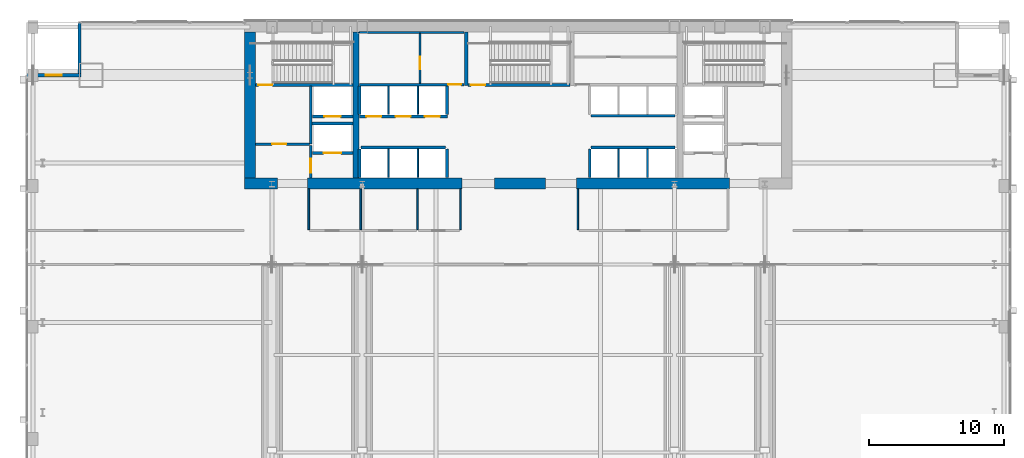
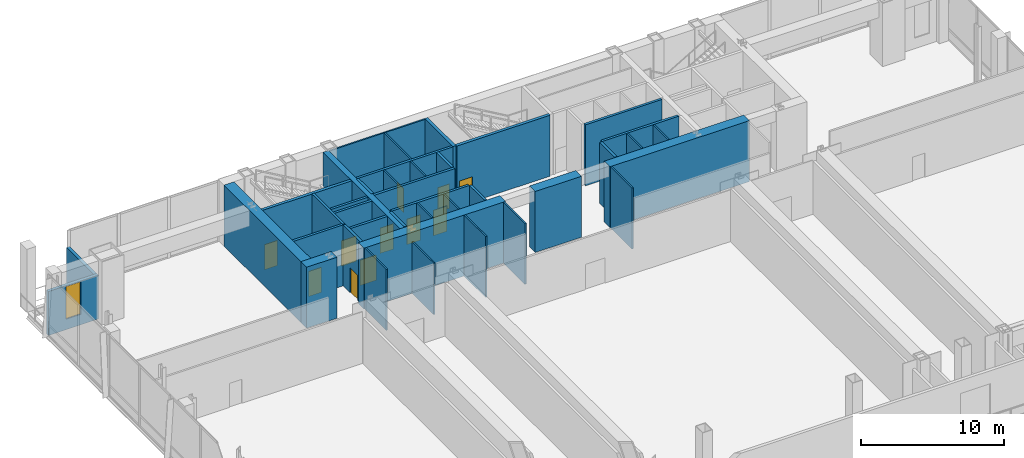
# One storey, part 21 of 26: 40 walls, 11 doors, 1 window, 12 openings.
"""IFC4 building model written with IfcOpenShell, lengths in metres."""

from ifc_helpers import new_model, si_unit, direction, frame, frame_2d, origin, place, context, subcontext, project, spatial, rectangle, extrude, material, layer, layer_set, type_object, element, fill, save


model = new_model("IFC4")

# Units and contexts
model_context = context("Model", 3, precision=1e-05, world=origin(), true_north=direction((0.0, 1.0)))
body_context = subcontext(model_context, "Body", "Model", "MODEL_VIEW")
ifc_project = project(units=[si_unit("LENGTHUNIT", "METRE"), si_unit("AREAUNIT", "SQUARE_METRE"), si_unit("VOLUMEUNIT", "CUBIC_METRE"), si_unit("PLANEANGLEUNIT", "RADIAN"), si_unit("MASSUNIT", "GRAM", prefix="KILO")], contexts=[model_context])

# Site, building, storey
site_placement = place(None, origin())
site = spatial("IfcSite", under=ifc_project, at=site_placement, CompositionType="ELEMENT")
building_placement = place(site_placement, origin())
building = spatial("IfcBuilding", under=site, at=building_placement, Name="Khoronbel Lancet Exchange", CompositionType="ELEMENT")
storey_placement = place(building_placement, frame((0.0, 0.0, 20.39990234375)))
storey = spatial("IfcBuildingStorey", under=building, at=storey_placement, Name="L04", CompositionType="ELEMENT", Elevation=20.39990234375)

# Walls
ifc_material_1 = material(Name="Concrete C80/95", Category="concrete")
ifc_layer_1 = layer(ifc_material_1, 0.800048828125, Name="Concrete C80/95")
ifc_layer_set_1 = layer_set([ifc_layer_1], Name="Concrete C80/95")
wall_type_1 = type_object("IfcWallType", Name="WL-CW1", PredefinedType="SHEAR", material=ifc_layer_set_1)
wall_1_placement = place(storey_placement, frame((16.60009765625, 42.10009765625, 0.0), z_axis=(0.0, 0.0, 1.0), x_axis=(0.0, 1.0, 0.0)))
element("IfcWall", 1, at=wall_1_placement, inside=storey, type_object=wall_type_1, Name="Level L04 rear core west shear wall", PredefinedType="SHEAR", context=body_context, shape_type="SweptSolid", body=[
    extrude(rectangle(XDim=10.7998046875, YDim=0.800048828125, at=frame_2d((5.39990234375, 0.0))), origin(), (0.0, 0.0, 1.0), 5.22021484375),
])
wall_2_placement = place(storey_placement, frame((18.64990234375, 41.699951171875, 0.0), z_axis=(0.0, 0.0, 1.0), x_axis=(-1.0, 0.0, 0.0)))
element("IfcWall", 2, at=wall_2_placement, inside=storey, type_object=wall_type_1, Name="Level L04 rear core south shear wall pier P1", PredefinedType="SHEAR", context=body_context, shape_type="SweptSolid", body=[
    extrude(rectangle(XDim=2.449951171875, YDim=0.800048828125, at=frame_2d((1.22509765625, 0.0))), origin(), (0.0, 0.0, 1.0), 5.22021484375),
])
wall_3_placement = place(storey_placement, frame((32.300048828125, 41.699951171875, 0.0), z_axis=(0.0, 0.0, 1.0), x_axis=(-1.0, 0.0, 0.0)))
element("IfcWall", 3, at=wall_3_placement, inside=storey, type_object=wall_type_1, Name="Level L04 rear core south shear wall pier P2", PredefinedType="SHEAR", context=body_context, shape_type="SweptSolid", body=[
    extrude(rectangle(XDim=11.449951171875, YDim=0.800048828125, at=frame_2d((5.72509765625, 0.0))), origin(), (0.0, 0.0, 1.0), 5.22021484375),
])
wall_4_placement = place(storey_placement, frame((38.449951171875, 41.699951171875, 0.0), z_axis=(0.0, 0.0, 1.0), x_axis=(-1.0, 0.0, 0.0)))
element("IfcWall", 4, at=wall_4_placement, inside=storey, type_object=wall_type_1, Name="Level L04 rear core south shear wall pier P3", PredefinedType="SHEAR", context=body_context, shape_type="SweptSolid", body=[
    extrude(rectangle(XDim=3.75, YDim=0.800048828125, at=frame_2d((1.875, 0.0))), origin(), (0.0, 0.0, 1.0), 5.22021484375),
])
wall_5_placement = place(storey_placement, frame((52.050048828125, 41.699951171875, 0.0), z_axis=(0.0, 0.0, 1.0), x_axis=(-1.0, 0.0, 0.0)))
element("IfcWall", 5, at=wall_5_placement, inside=storey, type_object=wall_type_1, Name="Level L04 rear core south shear wall pier P4", PredefinedType="SHEAR", context=body_context, shape_type="SweptSolid", body=[
    extrude(rectangle(XDim=11.300048828125, YDim=0.800048828125, at=frame_2d((5.64990234375, 0.0))), origin(), (0.0, 0.0, 1.0), 5.22021484375),
])

# Wall, opening, window
ifc_material_2 = material(Name="Precast concrete C40/50", Category="concrete")
ifc_layer_2 = layer(ifc_material_2, 0.25, Name="Precast concrete C40/50")
ifc_layer_set_2 = layer_set([ifc_layer_2], Name="Precast concrete C40/50")
wall_type_2 = type_object("IfcWallType", Name="WL-EXT250", PredefinedType="SOLIDWALL", material=ifc_layer_set_2)
wall_6_placement = place(storey_placement, frame((0.080078125, 49.699951171875, 0.0), z_axis=(0.0, 0.0, 1.0), x_axis=(1.0, 0.0, 0.0)))
wall_6 = element("IfcWall", 6, at=wall_6_placement, inside=storey, type_object=wall_type_2, Name="Level L04 corner notch exterior wall NWL4", PredefinedType="SOLIDWALL", context=body_context, shape_type="SweptSolid", body=[
    extrude(rectangle(XDim=4.044921875, YDim=0.25, at=frame_2d((2.0224609375, 0.0))), origin(), (0.0, 0.0, 1.0), 3.760009765625),
])
opening_1_placement = place(wall_6_placement, frame((1.422607421875, 0.0, 0.89990234375)))
opening_1 = element("IfcOpeningElement", 7, at=opening_1_placement, cuts=wall_6, Name="Opening W2", PredefinedType="OPENING", context=body_context, shape_type="SweptSolid", body=[
    extrude(rectangle(XDim=1.199951171875, YDim=2.800048828125, at=frame_2d((0.60009765625, 1.39990234375))), frame((0.0, 0.135009765625, 0.0), z_axis=(0.0, -1.0, 0.0), x_axis=(1.0, 0.0, 0.0)), (0.0, 0.0, 1.0), 0.27001953125),
])
ifc_material_3 = material(Name="Low-E Solar Control Insulating Glass", Category="glass")
window_type = type_object("IfcWindowType", Name="WIN-W2", PartitioningType="SINGLE_PANEL", PredefinedType="WINDOW", material=ifc_material_3)
window_placement = place(opening_1_placement, origin())
window = element("IfcWindow", 8, at=window_placement, inside=storey, type_object=window_type, Name="WIN-L04-NWL4", OverallHeight=2.800048828125, OverallWidth=1.199951171875, PartitioningType="SINGLE_PANEL", PredefinedType="WINDOW", context=body_context, shape_type="SweptSolid", body=[
    extrude(rectangle(XDim=1.199951171875, YDim=2.800048828125, at=frame_2d((0.60009765625, 1.39990234375))), frame((0.0, 0.030029296875, 0.0), z_axis=(0.0, -1.0, 0.0), x_axis=(1.0, 0.0, 0.0)), (0.0, 0.0, 1.0), 0.06005859375),
])
fill(opening_1, window)

# Walls
wall_7_placement = place(storey_placement, frame((4.0, 49.824951171875, 0.0), z_axis=(0.0, 0.0, 1.0), x_axis=(0.0, 1.0, 0.0)))
element("IfcWall", 9, at=wall_7_placement, inside=storey, type_object=wall_type_2, Name="Level L04 corner notch exterior wall NWV4", PredefinedType="SOLIDWALL", context=body_context, shape_type="SweptSolid", body=[
    extrude(rectangle(XDim=3.795166015625, YDim=0.25, at=frame_2d((1.8974609375, 0.0))), origin(), (0.0, 0.0, 1.0), 3.760009765625),
])
ifc_material_4 = material(Name="Acoustic Metal-Stud & Mineral-Wool Gypsum Partition 120 mm", Category="gypsum")
ifc_layer_3 = layer(ifc_material_4, 0.1201171875, Name="Acoustic Metal-Stud & Mineral-Wool Gypsum Partition 120 mm")
ifc_layer_set_3 = layer_set([ifc_layer_3], Name="Acoustic Metal-Stud & Mineral-Wool Gypsum Partition 120 mm")
wall_type_3 = type_object("IfcWallType", Name="WL-PRT120", PredefinedType="PARTITIONING", material=ifc_layer_set_3)
wall_8_placement = place(storey_placement, frame((20.949951171875, 38.280029296875, 0.0), z_axis=(0.0, 0.0, 1.0), x_axis=(0.0, 1.0, 0.0)))
element("IfcWall", 10, at=wall_8_placement, inside=storey, type_object=wall_type_3, Name="Level L04 interior partition PW-L04-WC0", PredefinedType="PARTITIONING", context=body_context, shape_type="SweptSolid", body=[
    extrude(rectangle(XDim=3.02001953125, YDim=0.1201171875, at=frame_2d((1.510009765625, 0.0))), origin(), (0.0, 0.0, 1.0), 5.22021484375),
])
wall_9_placement = place(storey_placement, frame((24.800048828125, 38.280029296875, 0.0), z_axis=(0.0, 0.0, 1.0), x_axis=(0.0, 1.0, 0.0)))
element("IfcWall", 11, at=wall_9_placement, inside=storey, type_object=wall_type_3, Name="Level L04 interior partition PW-L04-WC1", PredefinedType="PARTITIONING", context=body_context, shape_type="SweptSolid", body=[
    extrude(rectangle(XDim=3.02001953125, YDim=0.1201171875, at=frame_2d((1.510009765625, 0.0))), origin(), (0.0, 0.0, 1.0), 4.41015625),
])
for number, where, z_axis, x_axis, name in (
    (12, (29.0, 38.280029296875, 0.0), (0.0, 0.0, 1.0), (0.0, 1.0, 0.0), "Level L04 interior partition PW-L04-WC2"),
    (13, (32.179931640625, 38.280029296875, 0.0), (0.0, 0.0, 1.0), (0.0, 1.0, 0.0), "Level L04 interior partition PW-L04-WC3"),
    (14, (40.85009765625, 38.280029296875, 0.0), (0.0, 0.0, 1.0), (0.0, 1.0, 0.0), "Level L04 interior partition PW-L04-NP0"),
):
    element("IfcWall", number, at=place(storey_placement, frame(where, z_axis=z_axis, x_axis=x_axis)), inside=storey, type_object=wall_type_3, Name=name, PredefinedType="PARTITIONING", context=body_context, shape_type="SweptSolid", body=[
        extrude(rectangle(XDim=3.02001953125, YDim=0.1201171875, at=frame_2d((1.510009765625, 0.0))), origin(), (0.0, 0.0, 1.0), 5.22021484375),
    ])
ifc_material_5 = material(Name="Fire-Rated Metal-Stud & Mineral-Wool Gypsum Partition 120 mm", Category="gypsum")
ifc_layer_4 = layer(ifc_material_5, 0.1201171875, Name="Fire-Rated Metal-Stud & Mineral-Wool Gypsum Partition 120 mm")
ifc_layer_set_4 = layer_set([ifc_layer_4], Name="Fire-Rated Metal-Stud & Mineral-Wool Gypsum Partition 120 mm")
wall_type_4 = type_object("IfcWallType", Name="WL-PRT120F", PredefinedType="PARTITIONING", material=ifc_layer_set_4)
for number, where, z_axis, x_axis, name in (
    (15, (26.860107421875, 46.800048828125, 0.0), (0.0, 0.0, 1.0), (0.0, 1.0, 0.0), "Level L04 interior partition CW-PL-D1"),
    (16, (29.02001953125, 46.800048828125, 0.0), (0.0, 0.0, 1.0), (0.0, 1.0, 0.0), "Level L04 interior partition CW-PL-D2"),
):
    element("IfcWall", number, at=place(storey_placement, frame(where, z_axis=z_axis, x_axis=x_axis)), inside=storey, type_object=wall_type_4, Name=name, PredefinedType="PARTITIONING", context=body_context, shape_type="SweptSolid", body=[
        extrude(rectangle(XDim=2.094970703125, YDim=0.1201171875, at=frame_2d((1.04736328125, 0.0))), origin(), (0.0, 0.0, 1.0), 5.22021484375),
    ])
for number, where, z_axis, x_axis, name in (
    (17, (26.860107421875, 42.14990234375, 0.0), (0.0, 0.0, 1.0), (0.0, 1.0, 0.0), "Level L04 interior partition CW-PM-D1"),
    (18, (29.02001953125, 42.14990234375, 0.0), (0.0, 0.0, 1.0), (0.0, 1.0, 0.0), "Level L04 interior partition CW-PM-D2"),
    (19, (43.860107421875, 42.14990234375, 0.0), (0.0, 0.0, 1.0), (0.0, 1.0, 0.0), "Level L04 interior partition CW-PX-D1"),
    (20, (46.0, 42.14990234375, 0.0), (0.0, 0.0, 1.0), (0.0, 1.0, 0.0), "Level L04 interior partition CW-PX-D2"),
):
    element("IfcWall", number, at=place(storey_placement, frame(where, z_axis=z_axis, x_axis=x_axis)), inside=storey, type_object=wall_type_4, Name=name, PredefinedType="PARTITIONING", context=body_context, shape_type="SweptSolid", body=[
        extrude(rectangle(XDim=2.09521484375, YDim=0.1201171875, at=frame_2d((1.047607421875, 0.0))), origin(), (0.0, 0.0, 1.0), 5.22021484375),
    ])
wall_10_placement = place(storey_placement, frame((24.699951171875, 52.860107421875, 0.0), z_axis=(0.0, 0.0, 1.0), x_axis=(1.0, 0.0, 0.0)))
element("IfcWall", 21, at=wall_10_placement, inside=storey, type_object=wall_type_4, Name="Level L04 interior partition CW-SUP-NW-N", PredefinedType="PARTITIONING", context=body_context, shape_type="SweptSolid", body=[
    extrude(rectangle(XDim=7.719970703125, YDim=0.1201171875, at=frame_2d((3.85986328125, 0.0))), origin(), (0.0, 0.0, 1.0), 5.22021484375),
])

# Wall, opening, door
wall_11_placement = place(storey_placement, frame((29.177490234375, 49.10498046875, 0.0), z_axis=(0.0, 0.0, 1.0), x_axis=(0.0, 1.0, 0.0)))
wall_11 = element("IfcWall", 22, at=wall_11_placement, inside=storey, type_object=wall_type_4, Name="Level L04 interior partition CW-SUP-NW-M", PredefinedType="PARTITIONING", context=body_context, shape_type="SweptSolid", body=[
    extrude(rectangle(XDim=3.68994140625, YDim=0.1201171875, at=frame_2d((1.844970703125, 0.0))), origin(), (0.0, 0.0, 1.0), 5.22021484375),
])
opening_2_placement = place(wall_11_placement, frame((1.050048828125, 0.0, 0.0)))
opening_2 = element("IfcOpeningElement", 23, at=opening_2_placement, cuts=wall_11, Name="Opening FD4", PredefinedType="OPENING", context=body_context, shape_type="SweptSolid", body=[
    extrude(rectangle(XDim=0.89990234375, YDim=2.050048828125, at=frame_2d((0.449951171875, 1.02490234375))), frame((0.0, 0.070068359375, 0.0), z_axis=(0.0, -1.0, 0.0), x_axis=(1.0, 0.0, 0.0)), (0.0, 0.0, 1.0), 0.14013671875),
])
ifc_material_6 = material(Name="Fire-Rated Steel Core Support Door Assembly", Category="steel")
door_type_1 = type_object("IfcDoorType", Name="DR-FD4", OperationType="NOTDEFINED", PredefinedType="DOOR", material=ifc_material_6)
door_1_placement = place(opening_2_placement, origin())
door_1 = element("IfcDoor", 24, at=door_1_placement, inside=storey, type_object=door_type_1, Name="Core NW inner support door L04-1", OperationType="SINGLE_SWING_LEFT", OverallHeight=2.050048828125, OverallWidth=0.89990234375, PredefinedType="DOOR", context=body_context, shape_type="SweptSolid", body=[
    extrude(rectangle(XDim=0.89990234375, YDim=2.050048828125, at=frame_2d((0.449951171875, 1.02490234375))), frame((0.0, 0.02490234375, 0.0), z_axis=(0.0, -1.0, 0.0), x_axis=(1.0, 0.0, 0.0)), (0.0, 0.0, 1.0), 0.050048828125),
])
fill(opening_2, door_1)

ifc_material_7 = material(Name="Autoclaved Aerated Concrete Blockwork 200 mm", Category="masonry")
ifc_layer_5 = layer(ifc_material_7, 0.199951171875, Name="Autoclaved Aerated Concrete Blockwork 200 mm")
ifc_layer_set_5 = layer_set([ifc_layer_5], Name="Autoclaved Aerated Concrete Blockwork 200 mm")
wall_type_5 = type_object("IfcWallType", Name="WL-PRT200", PredefinedType="PARTITIONING", material=ifc_layer_set_5)
wall_12_placement = place(storey_placement, frame((24.2099609375, 43.949951171875, 0.0), z_axis=(0.0, 0.0, 1.0), x_axis=(-1.0, 0.0, 0.0)))
wall_12 = element("IfcWall", 25, at=wall_12_placement, inside=storey, type_object=wall_type_5, Name="Level L04 elevator hoistway landing front wall SVLW", PredefinedType="PARTITIONING", context=body_context, shape_type="SweptSolid", body=[
    extrude(rectangle(XDim=2.969970703125, YDim=0.199951171875, at=frame_2d((1.48486328125, 0.0))), origin(), (0.0, 0.0, 1.0), 5.22021484375),
])
opening_3_placement = place(wall_12_placement, frame((0.860107421875, 0.0, 0.0)))
opening_3 = element("IfcOpeningElement", 26, at=opening_3_placement, cuts=wall_12, Name="Opening LD-SVL1", PredefinedType="OPENING", context=body_context, shape_type="SweptSolid", body=[
    extrude(rectangle(XDim=1.300048828125, YDim=2.179931640625, at=frame_2d((0.64990234375, 1.08984375))), frame((0.0, 0.10986328125, 0.0), z_axis=(0.0, -1.0, 0.0), x_axis=(1.0, 0.0, 0.0)), (0.0, 0.0, 1.0), 0.219970703125),
])
ifc_material_8 = material(Name="Heavy-Duty Bi-Parting Goods Lift Landing Door", Category="steel")
door_type_2 = type_object("IfcDoorType", Name="DR-LD-SVL", OperationType="NOTDEFINED", PredefinedType="DOOR", material=ifc_material_8)
door_2_placement = place(opening_3_placement, origin())
door_2 = element("IfcDoor", 27, at=door_2_placement, inside=storey, type_object=door_type_2, Name="Elevator landing sliding door LD-SVL1 L04", OperationType="SLIDING_TO_LEFT", OverallHeight=2.179931640625, OverallWidth=1.300048828125, PredefinedType="DOOR", context=body_context, shape_type="SweptSolid", body=[
    extrude(rectangle(XDim=1.300048828125, YDim=2.179931640625, at=frame_2d((0.64990234375, 1.08984375))), frame((0.0, 0.02490234375, 0.0), z_axis=(0.0, -1.0, 0.0), x_axis=(1.0, 0.0, 0.0)), (0.0, 0.0, 1.0), 0.050048828125),
])
fill(opening_3, door_2)

wall_13_placement = place(storey_placement, frame((24.2099609375, 46.64990234375, 0.0), z_axis=(0.0, 0.0, 1.0), x_axis=(-1.0, 0.0, 0.0)))
wall_13 = element("IfcWall", 28, at=wall_13_placement, inside=storey, type_object=wall_type_5, Name="Level L04 elevator hoistway landing front wall FFLW", PredefinedType="PARTITIONING", context=body_context, shape_type="SweptSolid", body=[
    extrude(rectangle(XDim=2.969970703125, YDim=0.199951171875, at=frame_2d((1.48486328125, 0.0))), origin(), (0.0, 0.0, 1.0), 5.22021484375),
])
opening_4_placement = place(wall_13_placement, frame((0.909912109375, 0.0, 0.0)))
opening_4 = element("IfcOpeningElement", 29, at=opening_4_placement, cuts=wall_13, Name="Opening LD-FFL1", PredefinedType="OPENING", context=body_context, shape_type="SweptSolid", body=[
    extrude(rectangle(XDim=1.199951171875, YDim=2.179931640625, at=frame_2d((0.60009765625, 1.08984375))), frame((0.0, 0.10986328125, 0.0), z_axis=(0.0, -1.0, 0.0), x_axis=(1.0, 0.0, 0.0)), (0.0, 0.0, 1.0), 0.219970703125),
])
ifc_material_9 = material(Name="Fire-Rated Stainless Bi-Parting Firefighting Lift Door", Category="steel")
door_type_3 = type_object("IfcDoorType", Name="DR-LD-FFL", OperationType="NOTDEFINED", PredefinedType="DOOR", material=ifc_material_9)
door_3_placement = place(opening_4_placement, origin())
door_3 = element("IfcDoor", 30, at=door_3_placement, inside=storey, type_object=door_type_3, Name="Elevator landing sliding door LD-FFL1 L04", OperationType="SLIDING_TO_LEFT", OverallHeight=2.179931640625, OverallWidth=1.199951171875, PredefinedType="DOOR", context=body_context, shape_type="SweptSolid", body=[
    extrude(rectangle(XDim=1.199951171875, YDim=2.179931640625, at=frame_2d((0.60009765625, 1.08984375))), frame((0.0, 0.02490234375, 0.0), z_axis=(0.0, -1.0, 0.0), x_axis=(1.0, 0.0, 0.0)), (0.0, 0.0, 1.0), 0.050048828125),
])
fill(opening_4, door_3)

# Wall, openings, doors
wall_14_placement = place(storey_placement, frame((31.219970703125, 46.64990234375, 0.0), z_axis=(0.0, 0.0, 1.0), x_axis=(-1.0, 0.0, 0.0)))
wall_14 = element("IfcWall", 31, at=wall_14_placement, inside=storey, type_object=wall_type_5, Name="Level L04 elevator hoistway landing front wall PLW", PredefinedType="PARTITIONING", context=body_context, shape_type="SweptSolid", body=[
    extrude(rectangle(XDim=6.530029296875, YDim=0.199951171875, at=frame_2d((3.26513671875, 0.0))), origin(), (0.0, 0.0, 1.0), 5.22021484375),
])
opening_5_placement = place(wall_14_placement, frame((4.89990234375, 0.0, 0.0)))
opening_5 = element("IfcOpeningElement", 32, at=opening_5_placement, cuts=wall_14, Name="Opening LD-PL1", PredefinedType="OPENING", context=body_context, shape_type="SweptSolid", body=[
    extrude(rectangle(XDim=1.10009765625, YDim=2.179931640625, at=frame_2d((0.550048828125, 1.08984375))), frame((0.0, 0.10986328125, 0.0), z_axis=(0.0, -1.0, 0.0), x_axis=(1.0, 0.0, 0.0)), (0.0, 0.0, 1.0), 0.219970703125),
])
opening_6_placement = place(wall_14_placement, frame((2.739990234375, 0.0, 0.0)))
opening_6 = element("IfcOpeningElement", 33, at=opening_6_placement, cuts=wall_14, Name="Opening LD-PL2", PredefinedType="OPENING", context=body_context, shape_type="SweptSolid", body=[
    extrude(rectangle(XDim=1.10009765625, YDim=2.179931640625, at=frame_2d((0.550048828125, 1.08984375))), frame((0.0, 0.10986328125, 0.0), z_axis=(0.0, -1.0, 0.0), x_axis=(1.0, 0.0, 0.0)), (0.0, 0.0, 1.0), 0.219970703125),
])
opening_7_placement = place(wall_14_placement, frame((0.580078125, 0.0, 0.0)))
opening_7 = element("IfcOpeningElement", 34, at=opening_7_placement, cuts=wall_14, Name="Opening LD-PL3", PredefinedType="OPENING", context=body_context, shape_type="SweptSolid", body=[
    extrude(rectangle(XDim=1.10009765625, YDim=2.179931640625, at=frame_2d((0.550048828125, 1.08984375))), frame((0.0, 0.10986328125, 0.0), z_axis=(0.0, -1.0, 0.0), x_axis=(1.0, 0.0, 0.0)), (0.0, 0.0, 1.0), 0.219970703125),
])
ifc_material_10 = material(Name="Brushed Bronze Bi-Parting Elevator Landing Door", Category="steel")
door_type_4 = type_object("IfcDoorType", Name="DR-LD-PAX", OperationType="NOTDEFINED", PredefinedType="DOOR", material=ifc_material_10)
door_4_placement = place(opening_5_placement, origin())
door_4 = element("IfcDoor", 35, at=door_4_placement, inside=storey, type_object=door_type_4, Name="Elevator landing sliding door LD-PL1 L04", OperationType="SLIDING_TO_LEFT", OverallHeight=2.179931640625, OverallWidth=1.10009765625, PredefinedType="DOOR", context=body_context, shape_type="SweptSolid", body=[
    extrude(rectangle(XDim=1.10009765625, YDim=2.179931640625, at=frame_2d((0.550048828125, 1.08984375))), frame((0.0, 0.02490234375, 0.0), z_axis=(0.0, -1.0, 0.0), x_axis=(1.0, 0.0, 0.0)), (0.0, 0.0, 1.0), 0.050048828125),
])
fill(opening_5, door_4)
door_5_placement = place(opening_6_placement, origin())
door_5 = element("IfcDoor", 36, at=door_5_placement, inside=storey, type_object=door_type_4, Name="Elevator landing sliding door LD-PL2 L04", OperationType="SLIDING_TO_LEFT", OverallHeight=2.179931640625, OverallWidth=1.10009765625, PredefinedType="DOOR", context=body_context, shape_type="SweptSolid", body=[
    extrude(rectangle(XDim=1.10009765625, YDim=2.179931640625, at=frame_2d((0.550048828125, 1.08984375))), frame((0.0, 0.02490234375, 0.0), z_axis=(0.0, -1.0, 0.0), x_axis=(1.0, 0.0, 0.0)), (0.0, 0.0, 1.0), 0.050048828125),
])
fill(opening_6, door_5)
door_6_placement = place(opening_7_placement, origin())
door_6 = element("IfcDoor", 37, at=door_6_placement, inside=storey, type_object=door_type_4, Name="Elevator landing sliding door LD-PL3 L04", OperationType="SLIDING_TO_LEFT", OverallHeight=2.179931640625, OverallWidth=1.10009765625, PredefinedType="DOOR", context=body_context, shape_type="SweptSolid", body=[
    extrude(rectangle(XDim=1.10009765625, YDim=2.179931640625, at=frame_2d((0.550048828125, 1.08984375))), frame((0.0, 0.02490234375, 0.0), z_axis=(0.0, -1.0, 0.0), x_axis=(1.0, 0.0, 0.0)), (0.0, 0.0, 1.0), 0.050048828125),
])
fill(opening_7, door_6)

# Wall
wall_15_placement = place(storey_placement, frame((21.10009765625, 44.60009765625, 0.0), z_axis=(0.0, 0.0, 1.0), x_axis=(0.0, 1.0, 0.0)))
element("IfcWall", 38, at=wall_15_placement, inside=storey, type_object=wall_type_5, Name="Level L04 interior partition CW-FFLW-E", PredefinedType="PARTITIONING", context=body_context, shape_type="SweptSolid", body=[
    extrude(rectangle(XDim=4.2998046875, YDim=0.199951171875, at=frame_2d((2.14990234375, 0.0))), origin(), (0.0, 0.0, 1.0), 5.22021484375),
])

# Wall, opening, door
wall_16_placement = place(storey_placement, frame((17.0, 44.60009765625, 0.0), z_axis=(0.0, 0.0, 1.0), x_axis=(1.0, 0.0, 0.0)))
wall_16 = element("IfcWall", 39, at=wall_16_placement, inside=storey, type_object=wall_type_5, Name="Level L04 interior partition CW-FFLW-S", PredefinedType="PARTITIONING", context=body_context, shape_type="SweptSolid", body=[
    extrude(rectangle(XDim=4.0, YDim=0.199951171875, at=frame_2d((2.0, 0.0))), origin(), (0.0, 0.0, 1.0), 5.22021484375),
])
opening_8_placement = place(wall_16_placement, frame((1.25, 0.0, 0.0)))
opening_8 = element("IfcOpeningElement", 40, at=opening_8_placement, cuts=wall_16, Name="Opening FD1", PredefinedType="OPENING", context=body_context, shape_type="SweptSolid", body=[
    extrude(rectangle(XDim=1.050048828125, YDim=2.14990234375, at=frame_2d((0.52490234375, 1.074951171875))), frame((0.0, 0.10986328125, 0.0), z_axis=(0.0, -1.0, 0.0), x_axis=(1.0, 0.0, 0.0)), (0.0, 0.0, 1.0), 0.219970703125),
])
ifc_material_11 = material(Name="Fire-Rated Painted Steel Door Assembly", Category="steel")
door_type_5 = type_object("IfcDoorType", Name="DR-FD1", OperationType="NOTDEFINED", PredefinedType="DOOR", material=ifc_material_11)
door_7_placement = place(opening_8_placement, origin())
door_7 = element("IfcDoor", 41, at=door_7_placement, inside=storey, type_object=door_type_5, Name="West firefighting lobby FD90S door L04-1", OperationType="SINGLE_SWING_RIGHT", OverallHeight=2.14990234375, OverallWidth=1.050048828125, PredefinedType="DOOR", context=body_context, shape_type="SweptSolid", body=[
    extrude(rectangle(XDim=1.050048828125, YDim=2.14990234375, at=frame_2d((0.52490234375, 1.074951171875))), frame((0.0, 0.02490234375, 0.0), z_axis=(0.0, -1.0, 0.0), x_axis=(1.0, 0.0, 0.0)), (0.0, 0.0, 1.0), 0.050048828125),
])
fill(opening_8, door_7)

# Wall
wall_17_placement = place(storey_placement, frame((21.199951171875, 46.1201171875, 0.0), z_axis=(0.0, 0.0, 1.0), x_axis=(1.0, 0.0, 0.0)))
element("IfcWall", 42, at=wall_17_placement, inside=storey, type_object=wall_type_5, Name="Level L04 interior partition CW-FFL1-S", PredefinedType="PARTITIONING", context=body_context, shape_type="SweptSolid", body=[
    extrude(rectangle(XDim=3.02001953125, YDim=0.199951171875, at=frame_2d((1.510009765625, 0.0))), origin(), (0.0, 0.0, 1.0), 5.22021484375),
])

# Wall, opening, door
wall_18_placement = place(storey_placement, frame((21.10009765625, 42.10009765625, 0.0), z_axis=(0.0, 0.0, 1.0), x_axis=(0.0, 1.0, 0.0)))
wall_18 = element("IfcWall", 43, at=wall_18_placement, inside=storey, type_object=wall_type_5, Name="Level L04 interior partition CW-SVLW-W", PredefinedType="PARTITIONING", context=body_context, shape_type="SweptSolid", body=[
    extrude(rectangle(XDim=2.39501953125, YDim=0.199951171875, at=frame_2d((1.197509765625, 0.0))), origin(), (0.0, 0.0, 1.0), 5.22021484375),
])
opening_9_placement = place(wall_18_placement, frame((0.3798828125, 0.0, 0.0)))
opening_9 = element("IfcOpeningElement", 44, at=opening_9_placement, cuts=wall_18, Name="Opening FD1", PredefinedType="OPENING", context=body_context, shape_type="SweptSolid", body=[
    extrude(rectangle(XDim=1.050048828125, YDim=2.14990234375, at=frame_2d((0.52490234375, 1.074951171875))), frame((0.0, 0.10986328125, 0.0), z_axis=(0.0, -1.0, 0.0), x_axis=(1.0, 0.0, 0.0)), (0.0, 0.0, 1.0), 0.219970703125),
])
door_8_placement = place(opening_9_placement, origin())
door_8 = element("IfcDoor", 45, at=door_8_placement, inside=storey, type_object=door_type_5, Name="West service lift lobby door L04-1", OperationType="SINGLE_SWING_LEFT", OverallHeight=2.14990234375, OverallWidth=1.050048828125, PredefinedType="DOOR", context=body_context, shape_type="SweptSolid", body=[
    extrude(rectangle(XDim=1.050048828125, YDim=2.14990234375, at=frame_2d((0.52490234375, 1.074951171875))), frame((0.0, 0.02490234375, 0.0), z_axis=(0.0, -1.0, 0.0), x_axis=(1.0, 0.0, 0.0)), (0.0, 0.0, 1.0), 0.050048828125),
])
fill(opening_9, door_8)

# Walls
for number, where, z_axis, x_axis, name in (
    (46, (24.699951171875, 46.800048828125, 0.0), (0.0, 0.0, 1.0), (0.0, 1.0, 0.0), "Level L04 interior partition CW-PL-W"),
    (47, (31.179931640625, 46.800048828125, 0.0), (0.0, 0.0, 1.0), (0.0, 1.0, 0.0), "Level L04 interior partition CW-PL-E"),
):
    element("IfcWall", number, at=place(storey_placement, frame(where, z_axis=z_axis, x_axis=x_axis)), inside=storey, type_object=wall_type_5, Name=name, PredefinedType="PARTITIONING", context=body_context, shape_type="SweptSolid", body=[
        extrude(rectangle(XDim=2.094970703125, YDim=0.199951171875, at=frame_2d((1.04736328125, 0.0))), origin(), (0.0, 0.0, 1.0), 5.22021484375),
    ])
wall_19_placement = place(storey_placement, frame((24.804931640625, 44.35009765625, 0.0), z_axis=(0.0, 0.0, 1.0), x_axis=(1.0, 0.0, 0.0)))
element("IfcWall", 48, at=wall_19_placement, inside=storey, type_object=wall_type_5, Name="Level L04 interior partition CW-PM-EXP", PredefinedType="PARTITIONING", context=body_context, shape_type="SweptSolid", body=[
    extrude(rectangle(XDim=6.27001953125, YDim=0.199951171875, at=frame_2d((3.135009765625, 0.0))), origin(), (0.0, 0.0, 1.0), 5.22021484375),
])
for number, where, z_axis, x_axis, name in (
    (49, (24.699951171875, 42.14990234375, 0.0), (0.0, 0.0, 1.0), (0.0, 1.0, 0.0), "Level L04 interior partition CW-PM-W"),
    (50, (31.179931640625, 42.14990234375, 0.0), (0.0, 0.0, 1.0), (0.0, 1.0, 0.0), "Level L04 interior partition CW-PM-E"),
):
    element("IfcWall", number, at=place(storey_placement, frame(where, z_axis=z_axis, x_axis=x_axis)), inside=storey, type_object=wall_type_5, Name=name, PredefinedType="PARTITIONING", context=body_context, shape_type="SweptSolid", body=[
        extrude(rectangle(XDim=2.09521484375, YDim=0.199951171875, at=frame_2d((1.047607421875, 0.0))), origin(), (0.0, 0.0, 1.0), 5.22021484375),
    ])
for number, where, z_axis, x_axis, name in (
    (51, (41.824951171875, 46.699951171875, 0.0), (0.0, 0.0, 1.0), (1.0, 0.0, 0.0), "Level L04 interior partition CW-PH-EXP"),
    (52, (41.824951171875, 44.35009765625, 0.0), (0.0, 0.0, 1.0), (1.0, 0.0, 0.0), "Level L04 interior partition CW-PX-EXP"),
):
    element("IfcWall", number, at=place(storey_placement, frame(where, z_axis=z_axis, x_axis=x_axis)), inside=storey, type_object=wall_type_5, Name=name, PredefinedType="PARTITIONING", context=body_context, shape_type="SweptSolid", body=[
        extrude(rectangle(XDim=6.2099609375, YDim=0.199951171875, at=frame_2d((3.10498046875, 0.0))), origin(), (0.0, 0.0, 1.0), 5.22021484375),
    ])
wall_20_placement = place(storey_placement, frame((41.719970703125, 42.14990234375, 0.0), z_axis=(0.0, 0.0, 1.0), x_axis=(0.0, 1.0, 0.0)))
element("IfcWall", 53, at=wall_20_placement, inside=storey, type_object=wall_type_5, Name="Level L04 interior partition CW-PX-W", PredefinedType="PARTITIONING", context=body_context, shape_type="SweptSolid", body=[
    extrude(rectangle(XDim=2.09521484375, YDim=0.199951171875, at=frame_2d((1.047607421875, 0.0))), origin(), (0.0, 0.0, 1.0), 5.22021484375),
])

# Wall, opening, door
wall_21_placement = place(storey_placement, frame((24.699951171875, 49.0, 0.0), z_axis=(0.0, 0.0, 1.0), x_axis=(1.0, 0.0, 0.0)))
wall_21 = element("IfcWall", 54, at=wall_21_placement, inside=storey, type_object=wall_type_5, Name="Level L04 interior partition CW-SUP-NW-S", PredefinedType="PARTITIONING", context=body_context, shape_type="SweptSolid", body=[
    extrude(rectangle(XDim=7.719970703125, YDim=0.199951171875, at=frame_2d((3.85986328125, 0.0))), origin(), (0.0, 0.0, 1.0), 5.22021484375),
])
opening_10_placement = place(wall_21_placement, frame((6.56005859375, 0.0, 0.0)))
opening_10 = element("IfcOpeningElement", 55, at=opening_10_placement, cuts=wall_21, Name="Opening FD3", PredefinedType="OPENING", context=body_context, shape_type="SweptSolid", body=[
    extrude(rectangle(XDim=0.949951171875, YDim=2.10009765625, at=frame_2d((0.47509765625, 1.050048828125))), frame((0.0, 0.10986328125, 0.0), z_axis=(0.0, -1.0, 0.0), x_axis=(1.0, 0.0, 0.0)), (0.0, 0.0, 1.0), 0.219970703125),
])
ifc_material_12 = material(Name="Fire-Rated Steel Plant & Riser Door Assembly", Category="steel")
door_type_6 = type_object("IfcDoorType", Name="DR-FD3", OperationType="NOTDEFINED", PredefinedType="DOOR", material=ifc_material_12)
door_9_placement = place(opening_10_placement, origin())
door_9 = element("IfcDoor", 56, at=door_9_placement, inside=storey, type_object=door_type_6, Name="Core NW support room door L04-1", OperationType="SINGLE_SWING_RIGHT", OverallHeight=2.10009765625, OverallWidth=0.949951171875, PredefinedType="DOOR", context=body_context, shape_type="SweptSolid", body=[
    extrude(rectangle(XDim=0.949951171875, YDim=2.10009765625, at=frame_2d((0.47509765625, 1.050048828125))), frame((0.0, 0.02490234375, 0.0), z_axis=(0.0, -1.0, 0.0), x_axis=(1.0, 0.0, 0.0)), (0.0, 0.0, 1.0), 0.050048828125),
])
fill(opening_10, door_9)

# Walls
ifc_layer_6 = layer(ifc_material_1, 0.449951171875, Name="Concrete C80/95")
ifc_layer_set_6 = layer_set([ifc_layer_6], Name="Concrete C80/95")
wall_type_6 = type_object("IfcWallType", Name="WL-SW1", PredefinedType="SHEAR", material=ifc_layer_set_6)
wall_22_placement = place(storey_placement, frame((24.449951171875, 42.10009765625, 0.0), z_axis=(0.0, 0.0, 1.0), x_axis=(0.0, 1.0, 0.0)))
element("IfcWall", 57, at=wall_22_placement, inside=storey, type_object=wall_type_6, Name="Level L04 rear core internal spine shear wall IW", PredefinedType="SHEAR", context=body_context, shape_type="SweptSolid", body=[
    extrude(rectangle(XDim=10.7998046875, YDim=0.449951171875, at=frame_2d((5.39990234375, 0.0))), origin(), (0.0, 0.0, 1.0), 5.22021484375),
])
ifc_material_13 = material(Name="Concrete C60/75", Category="concrete")
ifc_layer_7 = layer(ifc_material_13, 0.260009765625, Name="Concrete C60/75")
ifc_layer_set_7 = layer_set([ifc_layer_7], Name="Concrete C60/75")
wall_type_7 = type_object("IfcWallType", Name="WL-SW3", PredefinedType="SHEAR", material=ifc_layer_set_7)
wall_23_placement = place(storey_placement, frame((32.580078125, 48.949951171875, 0.0), z_axis=(0.0, 0.0, 1.0), x_axis=(0.0, 1.0, 0.0)))
element("IfcWall", 58, at=wall_23_placement, inside=storey, type_object=wall_type_7, Name="Level L04 central stairwell structural shear wall ST3W", PredefinedType="SHEAR", context=body_context, shape_type="SweptSolid", body=[
    extrude(rectangle(XDim=3.949951171875, YDim=0.260009765625, at=frame_2d((1.97509765625, 0.0))), origin(), (0.0, 0.0, 1.0), 5.22021484375),
])

# Wall, opening, door
wall_24_placement = place(storey_placement, frame((17.0, 48.97998046875, 0.0), z_axis=(0.0, 0.0, 1.0), x_axis=(1.0, 0.0, 0.0)))
wall_24 = element("IfcWall", 59, at=wall_24_placement, inside=storey, type_object=wall_type_7, Name="Level L04 west stairwell structural south wall", PredefinedType="SHEAR", context=body_context, shape_type="SweptSolid", body=[
    extrude(rectangle(XDim=7.219970703125, YDim=0.239990234375, at=frame_2d((3.60986328125, 0.0))), origin(), (0.0, 0.0, 1.0), 5.22021484375),
])
opening_11_placement = place(wall_24_placement, frame((0.219970703125, 0.0, 0.0)))
opening_11 = element("IfcOpeningElement", 60, at=opening_11_placement, cuts=wall_24, Name="Opening SD1", PredefinedType="OPENING", context=body_context, shape_type="SweptSolid", body=[
    extrude(rectangle(XDim=1.050048828125, YDim=2.14990234375, at=frame_2d((0.52490234375, 1.074951171875))), frame((0.0, 0.1298828125, 0.0), z_axis=(0.0, -1.0, 0.0), x_axis=(1.0, 0.0, 0.0)), (0.0, 0.0, 1.0), 0.260009765625),
])
ifc_material_14 = material(Name="Fire-Rated Steel Stairwell Door Assembly", Category="steel")
door_type_7 = type_object("IfcDoorType", Name="DR-SD1", OperationType="NOTDEFINED", PredefinedType="DOOR", material=ifc_material_14)
door_10_placement = place(opening_11_placement, origin())
door_10 = element("IfcDoor", 61, at=door_10_placement, inside=storey, type_object=door_type_7, Name="Protected exit stair ST1 door L04", OperationType="SINGLE_SWING_LEFT", OverallHeight=2.14990234375, OverallWidth=1.050048828125, PredefinedType="DOOR", context=body_context, shape_type="SweptSolid", body=[
    extrude(rectangle(XDim=1.050048828125, YDim=2.14990234375, at=frame_2d((0.52490234375, 1.074951171875))), frame((0.0, 0.02490234375, 0.0), z_axis=(0.0, -1.0, 0.0), x_axis=(1.0, 0.0, 0.0)), (0.0, 0.0, 1.0), 0.050048828125),
])
fill(opening_11, door_10)

wall_25_placement = place(storey_placement, frame((32.719970703125, 48.97998046875, 0.0), z_axis=(0.0, 0.0, 1.0), x_axis=(1.0, 0.0, 0.0)))
wall_25 = element("IfcWall", 62, at=wall_25_placement, inside=storey, type_object=wall_type_7, Name="Level L04 central stairwell structural south wall", PredefinedType="SHEAR", context=body_context, shape_type="SweptSolid", body=[
    extrude(rectangle(XDim=7.56005859375, YDim=0.239990234375, at=frame_2d((3.780029296875, 0.0))), origin(), (0.0, 0.0, 1.0), 5.22021484375),
])
opening_12_placement = place(wall_25_placement, frame((0.219970703125, 0.0, 0.0)))
opening_12 = element("IfcOpeningElement", 63, at=opening_12_placement, cuts=wall_25, Name="Opening SD1", PredefinedType="OPENING", context=body_context, shape_type="SweptSolid", body=[
    extrude(rectangle(XDim=1.050048828125, YDim=2.14990234375, at=frame_2d((0.52490234375, 1.074951171875))), frame((0.0, 0.1298828125, 0.0), z_axis=(0.0, -1.0, 0.0), x_axis=(1.0, 0.0, 0.0)), (0.0, 0.0, 1.0), 0.260009765625),
])
door_11_placement = place(opening_12_placement, origin())
door_11 = element("IfcDoor", 64, at=door_11_placement, inside=storey, type_object=door_type_7, Name="Protected exit stair ST3 door L04", OperationType="SINGLE_SWING_LEFT", OverallHeight=2.14990234375, OverallWidth=1.050048828125, PredefinedType="DOOR", context=body_context, shape_type="SweptSolid", body=[
    extrude(rectangle(XDim=1.050048828125, YDim=2.14990234375, at=frame_2d((0.52490234375, 1.074951171875))), frame((0.0, 0.02490234375, 0.0), z_axis=(0.0, -1.0, 0.0), x_axis=(1.0, 0.0, 0.0)), (0.0, 0.0, 1.0), 0.050048828125),
])
fill(opening_12, door_11)

save(model, "model.ifc")
